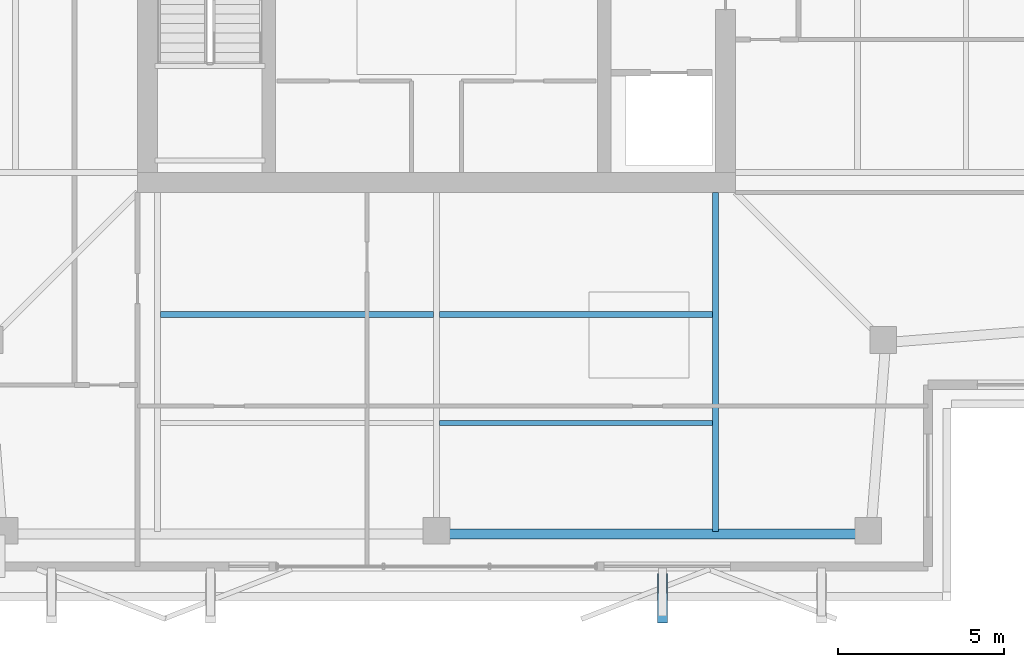
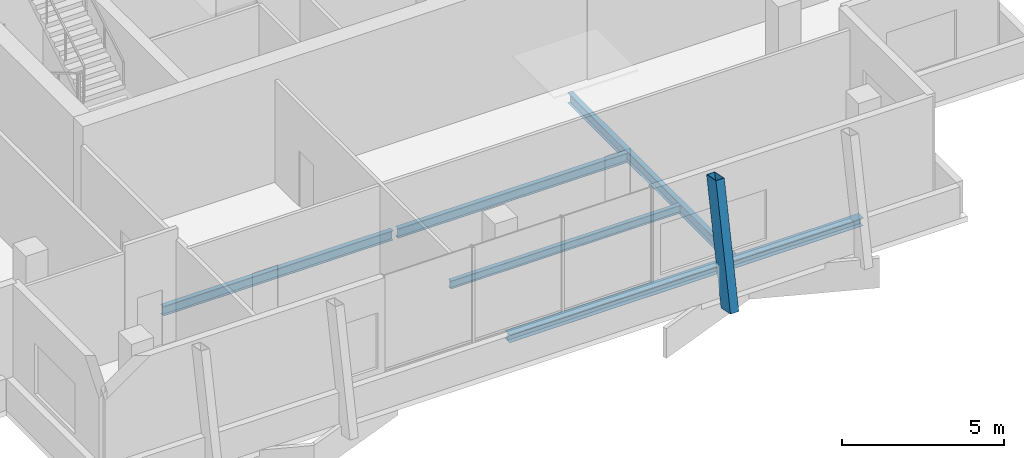
# One storey, part 3 of 17: 5 beams, 1 member.
"""IFC4 building model written with IfcOpenShell, lengths in metres."""

from ifc_helpers import new_model, si_unit, direction, frame, origin, origin_2d, place, context, subcontext, project, spatial, hollow_rectangle, i_section, extrude, material, material_profile, profile_set, type_object, element, save


model = new_model("IFC4")

# Units and contexts
model_context = context("Model", 3, precision=1e-05, world=origin(), true_north=direction((0.0, 1.0)))
body_context = subcontext(model_context, "Body", "Model", "MODEL_VIEW")
ifc_project = project(units=[si_unit("LENGTHUNIT", "METRE"), si_unit("AREAUNIT", "SQUARE_METRE"), si_unit("VOLUMEUNIT", "CUBIC_METRE"), si_unit("PLANEANGLEUNIT", "RADIAN"), si_unit("MASSUNIT", "GRAM", prefix="KILO")], contexts=[model_context])

# Site, building, storey
site_placement = place(None, origin())
site = spatial("IfcSite", under=ifc_project, at=site_placement, CompositionType="ELEMENT")
building_placement = place(site_placement, origin())
building = spatial("IfcBuilding", under=site, at=building_placement, Name="Belovzor Exchange Tower", CompositionType="ELEMENT")
storey_placement = place(building_placement, frame((0.0, 0.0, 355.5)))
storey = spatial("IfcBuildingStorey", under=building, at=storey_placement, Name="L89", CompositionType="ELEMENT", Elevation=355.5)

# Beams
ifc_material_1 = material(Name="Steel S355", Category="steel")
ifc_material_profile_1 = material_profile(ifc_material_1, i_section(OverallWidth=0.169921875, OverallDepth=0.360107421875, WebThickness=0.008056640625, FlangeThickness=0.0126953125, at=origin_2d()))
ifc_profile_set_1 = profile_set([ifc_material_profile_1], Name="Steel S355")
beam_type_1 = type_object("IfcBeamType", Name="Secondary Infill Floor Joist IPE 360", PredefinedType="BEAM", material=ifc_profile_set_1)
beam_1_placement = place(storey_placement, frame((20.489990234375, 16.1201171875, -0.43994140625), z_axis=(1.0, 0.0, 0.0), x_axis=(0.0, 1.0, 0.0)))
element("IfcBeam", 1, at=beam_1_placement, inside=storey, type_object=beam_type_1, Name="FJ-360 Secondary Infill Floor Joist IPE 360", PredefinedType="BEAM", context=body_context, shape_type="SweptSolid", body=[
    extrude(i_section(OverallWidth=0.169921875, OverallDepth=0.360107421875, WebThickness=0.008056640625, FlangeThickness=0.0126953125, at=origin_2d()), origin(), (0.0, 0.0, 1.0), 8.219970703125),
])
beam_2_placement = place(storey_placement, frame((28.889892578125, 16.1201171875, -0.43994140625), z_axis=(1.0, 0.0, 0.0), x_axis=(0.0, 1.0, 0.0)))
element("IfcBeam", 2, at=beam_2_placement, inside=storey, type_object=beam_type_1, Name="FJ-360 Secondary Infill Floor Joist IPE 360", PredefinedType="BEAM", context=body_context, shape_type="SweptSolid", body=[
    extrude(i_section(OverallWidth=0.169921875, OverallDepth=0.360107421875, WebThickness=0.008056640625, FlangeThickness=0.0126953125, at=origin_2d()), origin(), (0.0, 0.0, 1.0), 8.22021484375),
])
ifc_material_2 = material(Name="Steel S355", Category="steel")
ifc_material_profile_2 = material_profile(ifc_material_2, i_section(OverallWidth=0.14990234375, OverallDepth=0.300048828125, WebThickness=0.007080078125, FlangeThickness=0.0107421875, at=origin_2d()))
ifc_profile_set_2 = profile_set([ifc_material_profile_2], Name="Steel S355")
beam_type_2 = type_object("IfcBeamType", Name="Secondary Trim Floor Joist IPE 300", PredefinedType="BEAM", material=ifc_profile_set_2)
beam_3_placement = place(storey_placement, frame((28.889892578125, 12.847900390625, -0.409912109375), z_axis=(1.0, 0.0, 0.0), x_axis=(0.0, 1.0, 0.0)))
element("IfcBeam", 3, at=beam_3_placement, inside=storey, type_object=beam_type_2, Name="FJ-300 Secondary Trim Floor Joist IPE 300", PredefinedType="BEAM", context=body_context, shape_type="SweptSolid", body=[
    extrude(i_section(OverallWidth=0.14990234375, OverallDepth=0.300048828125, WebThickness=0.007080078125, FlangeThickness=0.0107421875, at=origin_2d()), origin(), (0.0, 0.0, 1.0), 8.22021484375),
])

# Member
ifc_material_3 = material(Name="Extruded Architectural Terracotta on Steel S355 Carrier", Category="masonry")
ifc_material_profile_3 = material_profile(ifc_material_3, hollow_rectangle(XDim=0.300048828125, YDim=0.60009765625, WallThickness=0.01611328125, at=origin_2d()))
ifc_profile_set_3 = profile_set([ifc_material_profile_3], Name="Extruded Architectural Terracotta on Steel S355 Carrier")
member_type = type_object("IfcMemberType", Name="Upper Crown Terracotta Fin Assembly 550", PredefinedType="USERDEFINED", material=ifc_profile_set_3)
member_placement = place(storey_placement, frame((35.60009765625, 7.125, -0.260009765625), z_axis=(0.0, 0.196095673508, 0.980584767795), x_axis=(-1.0, 0.0, 0.0)))
element("IfcMember", 4, at=member_placement, inside=storey, type_object=member_type, Name="FIN-TC055 Terracotta Facade Fin L89 S3", ObjectType="FIN", PredefinedType="USERDEFINED", context=body_context, shape_type="SweptSolid", body=[
    extrude(hollow_rectangle(XDim=0.300048828125, YDim=0.60009765625, WallThickness=0.01611328125, at=origin_2d()), origin(), (0.0, 0.0, 1.0), 4.589111328125),
])

# Beams
ifc_material_4 = material(Name="Steel S355", Category="steel")
ifc_material_profile_4 = material_profile(ifc_material_4, i_section(OverallWidth=0.179931640625, OverallDepth=0.39990234375, WebThickness=0.008544921875, FlangeThickness=0.013427734375, at=origin_2d()))
ifc_profile_set_4 = profile_set([ifc_material_profile_4], Name="Steel S355")
beam_type_3 = type_object("IfcBeamType", Name="Zone 5-6 Radial Composite Floor Beam IPE 400", PredefinedType="BEAM", material=ifc_profile_set_4)
beam_4_placement = place(storey_placement, frame((37.199951171875, 19.800048828125, -0.4599609375), z_axis=(0.0, -1.0, 0.0), x_axis=(1.0, 0.0, 0.0)))
element("IfcBeam", 5, at=beam_4_placement, inside=storey, type_object=beam_type_3, Name="FB-400 Zone 5-6 Radial Composite Floor Beam IPE 400", PredefinedType="BEAM", context=body_context, shape_type="SweptSolid", body=[
    extrude(i_section(OverallWidth=0.179931640625, OverallDepth=0.39990234375, WebThickness=0.008544921875, FlangeThickness=0.013427734375, at=origin_2d()), origin(), (0.0, 0.0, 1.0), 10.22314453125),
])
ifc_material_5 = material(Name="Steel S355", Category="steel")
ifc_material_profile_5 = material_profile(ifc_material_5, i_section(OverallWidth=0.300048828125, OverallDepth=0.300048828125, WebThickness=0.008544921875, FlangeThickness=0.013916015625, at=origin_2d()))
ifc_profile_set_5 = profile_set([ifc_material_profile_5], Name="Steel S355")
beam_type_4 = type_object("IfcBeamType", Name="Zone 6 Primary Girder HEA 300", PredefinedType="BEAM", material=ifc_profile_set_5)
beam_5_placement = place(storey_placement, frame((29.02001953125, 9.501953125, -0.409912109375), z_axis=(1.0, 0.0, 0.0), x_axis=(0.0, 1.0, 0.0)))
element("IfcBeam", 6, at=beam_5_placement, inside=storey, type_object=beam_type_4, Name="FG-Z6 Zone 6 Primary Girder HEA 300", PredefinedType="BEAM", context=body_context, shape_type="SweptSolid", body=[
    extrude(i_section(OverallWidth=0.300048828125, OverallDepth=0.300048828125, WebThickness=0.008544921875, FlangeThickness=0.013916015625, at=origin_2d()), origin(), (0.0, 0.0, 1.0), 12.636962890625),
])

save(model, "model.ifc")
